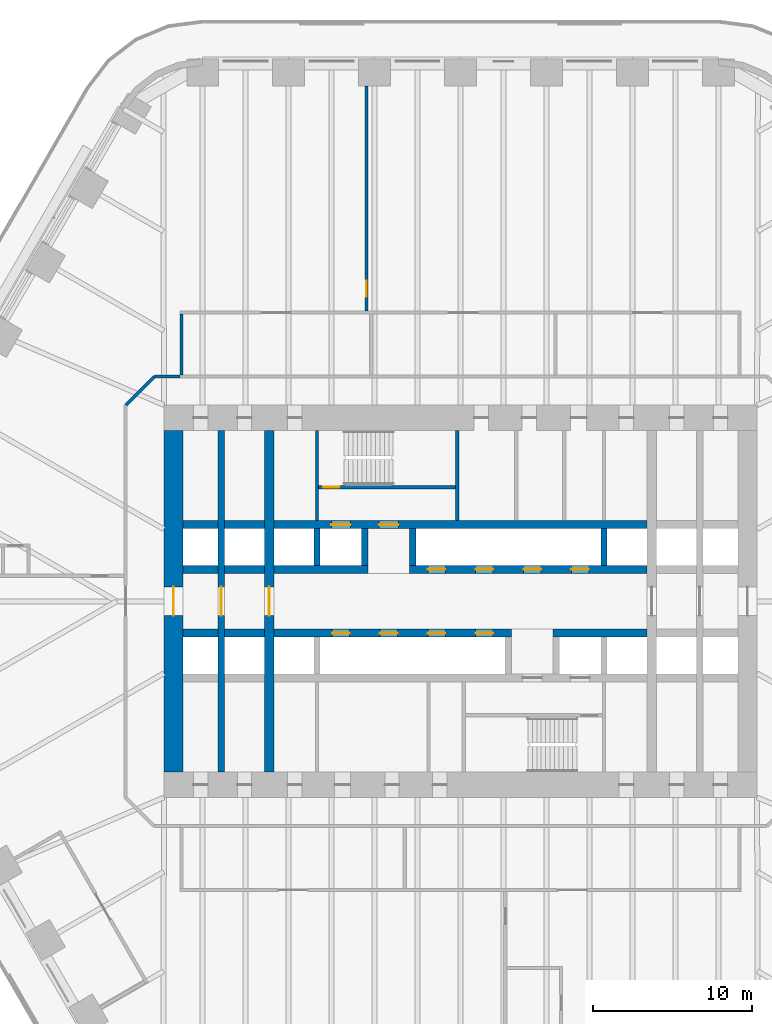
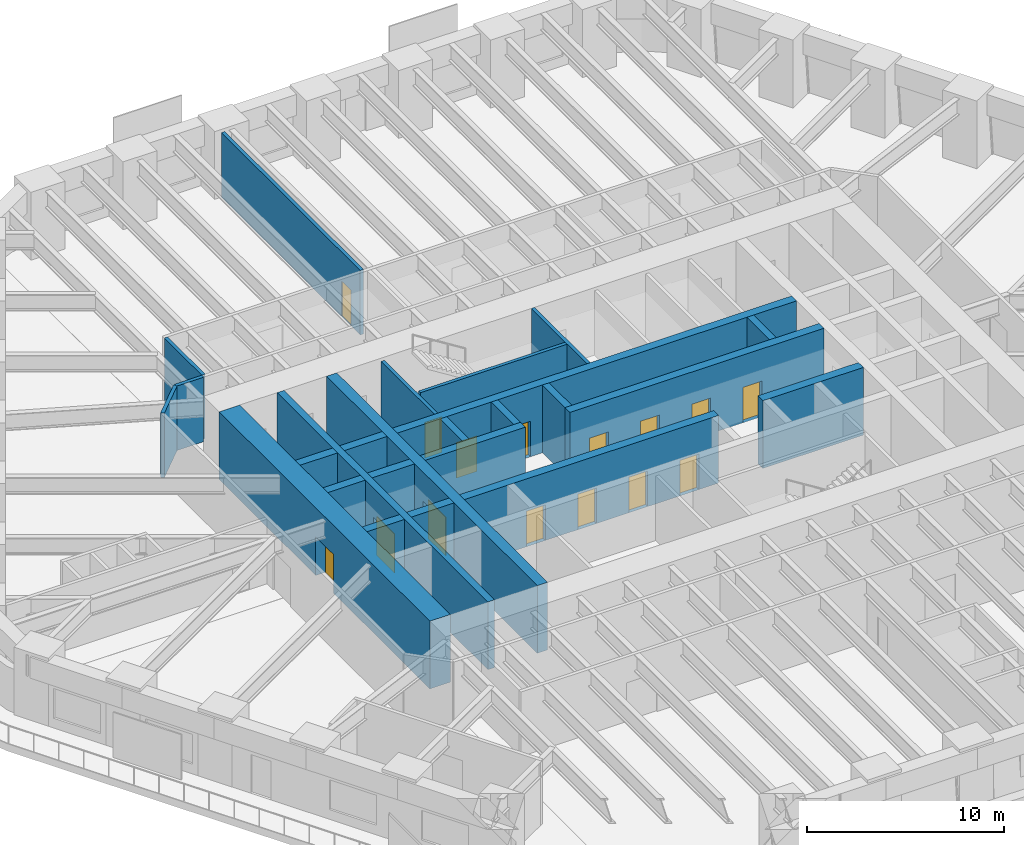
# One storey, part 18 of 23: 25 walls, 15 doors, 15 openings.
"""IFC4 building model written with IfcOpenShell, lengths in metres."""

import ifcopenshell
import ifcopenshell.guid

model = None  # the IFC model being written
_history = None  # IfcOwnerHistory: only IFC2X3 demands one
_inside = {}  # id of a spatial element -> (the spatial element, [elements in it])
_under = {}  # id of a project, library or spatial element -> (it, [spatial elements below it])
_declared = {}  # id of a project -> (the project, [libraries it declares])
_typed = {}  # id of a type object -> (the type object, [elements of that type])
_made_of = {}  # id of a material, layer set ... -> (it, [elements and type objects made of it])


def new_model(schema):
    """Start an empty IFC model of exactly this schema.

    Asked for "IFC4X3", IfcOpenShell would pick the latest addendum, in which some entities
    have other attributes; the version numbers below select the first issue.
    IFC2X3 requires an IfcOwnerHistory on every rooted entity: one is made here for all.
    """
    global model, _history
    if schema == "IFC4X3":
        model = ifcopenshell.file(schema_version=(4, 3, 0, 0))
    else:
        model = ifcopenshell.file(schema=schema)
    _inside.clear()
    _under.clear()
    _declared.clear()
    _typed.clear()
    _made_of.clear()
    _history = None
    if model.schema == "IFC2X3":
        org = make("IfcOrganization", Name="unknown")
        user = make(
            "IfcPersonAndOrganization",
            ThePerson=make("IfcPerson", FamilyName="unknown"),
            TheOrganization=org,
        )
        app = make(
            "IfcApplication",
            ApplicationDeveloper=org,
            Version="unknown",
            ApplicationFullName="unknown",
            ApplicationIdentifier="unknown",
        )
        _history = make(
            "IfcOwnerHistory",
            OwningUser=user,
            OwningApplication=app,
            ChangeAction="ADDED",
            CreationDate=0,
        )
    return model


def make(cls, **values):
    """One entity of the class cls with the attributes given. An attribute that is None is left unset."""
    return model.create_entity(
        cls, **{name: value for name, value in values.items() if value is not None}
    )


def rooted(cls, **values):
    """An entity with a GlobalId (a new one), such as an element, a storey or a relation."""
    return make(cls, GlobalId=ifcopenshell.guid.new(), OwnerHistory=_history, **values)


def si_unit(unit_type, name, prefix=None):
    """IfcSIUnit, for example si_unit("LENGTHUNIT", "METRE", prefix="MILLI")."""
    return make("IfcSIUnit", UnitType=unit_type, Prefix=prefix, Name=name)


def assignment(units):
    """IfcUnitAssignment: the units of a project."""
    return None if units is None else make("IfcUnitAssignment", Units=units)


def point(xyz):
    """IfcCartesianPoint."""
    return None if xyz is None else make("IfcCartesianPoint", Coordinates=xyz)


def direction(xyz):
    """IfcDirection."""
    return None if xyz is None else make("IfcDirection", DirectionRatios=xyz)


def frame(location, z_axis=None, x_axis=None):
    """IfcAxis2Placement3D, a coordinate frame: its origin and axes. An axis left out is left unset."""
    return make(
        "IfcAxis2Placement3D",
        Location=point(location),
        Axis=direction(z_axis),
        RefDirection=direction(x_axis),
    )


def frame_2d(location, x_axis=None):
    """IfcAxis2Placement2D, a coordinate frame in the plane: its origin and x axis."""
    return make(
        "IfcAxis2Placement2D", Location=point(location), RefDirection=direction(x_axis)
    )


def origin():
    """The frame at (0, 0, 0) with its axes left unset."""
    return frame((0.0, 0.0, 0.0))


def place(relative_to, where):
    """IfcLocalPlacement: puts the frame where relative to a parent placement (None: the world)."""
    return make(
        "IfcLocalPlacement", PlacementRelTo=relative_to, RelativePlacement=where
    )


def context(
    kind, dimensions, precision=None, world=None, true_north=None, identifier=None
):
    """IfcGeometricRepresentationContext, for example the 3D "Model" context."""
    return make(
        "IfcGeometricRepresentationContext",
        ContextIdentifier=identifier,
        ContextType=kind,
        CoordinateSpaceDimension=dimensions,
        Precision=precision,
        WorldCoordinateSystem=world,
        TrueNorth=true_north,
    )


def subcontext(parent, identifier, kind, view, scale=None):
    """IfcGeometricRepresentationSubContext, for example "Body" below "Model"."""
    return make(
        "IfcGeometricRepresentationSubContext",
        ContextIdentifier=identifier,
        ContextType=kind,
        ParentContext=parent,
        TargetScale=scale,
        TargetView=view,
    )


def project(units=None, contexts=None):
    """IfcProject with its units and contexts."""
    return rooted(
        "IfcProject",
        Name="project",
        RepresentationContexts=contexts,
        UnitsInContext=assignment(units),
    )


def spatial(cls, under=None, at=None, **own):
    """A site, building, storey or space (cls), placed at a placement, below another one or the project."""
    s = rooted(cls, ObjectPlacement=at, **own)
    if under is not None:
        _under.setdefault(under.id(), (under, []))[1].append(s)
    return s


def profile(cls, at=None, kind="AREA", **sizes):
    """A parametric profile (cls). Its sizes go by their IFC names, for example OverallWidth=200.0."""
    return make(cls, ProfileType=kind, Position=at, **sizes)


def rectangle(**sizes):
    """IfcRectangleProfileDef."""
    return profile("IfcRectangleProfileDef", **sizes)


def extrude(swept, where, along, depth):
    """IfcExtrudedAreaSolid: the profile swept, set in the frame where, extruded along a direction by depth."""
    return make(
        "IfcExtrudedAreaSolid",
        SweptArea=swept,
        Position=where,
        ExtrudedDirection=direction(along),
        Depth=depth,
    )


def shape(context_of_items, identifier, shape_type, items):
    """IfcShapeRepresentation: the items that make up one representation, for example the "Body"."""
    return make(
        "IfcShapeRepresentation",
        ContextOfItems=context_of_items,
        RepresentationIdentifier=identifier,
        RepresentationType=shape_type,
        Items=items,
    )


def material(Name=None, Category=None):
    """IfcMaterial."""
    return make("IfcMaterial", Name=Name, Category=Category)


def layer(
    of_material, thickness, ventilated=None, Name=None, Category=None, Priority=None
):
    """IfcMaterialLayer: one layer of a wall or slab, of a material (None: an air gap)."""
    return make(
        "IfcMaterialLayer",
        Material=of_material,
        LayerThickness=thickness,
        IsVentilated=ventilated,
        Name=Name,
        Category=Category,
        Priority=Priority,
    )


def layer_set(layers, Name=None):
    """IfcMaterialLayerSet."""
    return make("IfcMaterialLayerSet", MaterialLayers=layers, LayerSetName=Name)


def made_of(thing, what):
    """Note that an element or type object is made of a material, layer set ...; save() writes the relation."""
    if what is not None:
        _made_of.setdefault(what.id(), (what, []))[1].append(thing)
    return thing


def type_object(cls, material=None, **own):
    """A type object (cls), such as IfcWallType, which elements share."""
    return made_of(rooted(cls, **own), material)


def element(
    cls,
    number,
    at=None,
    inside=None,
    cuts=None,
    type_object=None,
    material=None,
    context=None,
    identifier="Body",
    shape_type=None,
    held_by="IfcProductDefinitionShape",
    body=None,
    shapes=None,
    **own,
):
    """One element of the class cls, such as IfcWall. Its Tag is "e" and its number.

    at: its placement. inside: the storey or other place that contains it. cuts: it is an
    opening in that element (IfcRelVoidsElement). A single representation is given by context,
    identifier, shape_type and body (its items); several are given by shapes. held_by: the class
    of the entity that holds the representations. save() writes the other relations.
    """
    e = rooted(cls, Tag="e%d" % number, ObjectPlacement=at, **own)
    if body is not None:
        shapes = [shape(context, identifier, shape_type, body)]
    if shapes is not None:
        e.Representation = make(held_by, Representations=shapes)
    if inside is not None:
        _inside.setdefault(inside.id(), (inside, []))[1].append(e)
    if cuts is not None:
        rooted(
            "IfcRelVoidsElement", RelatingBuildingElement=cuts, RelatedOpeningElement=e
        )
    if type_object is not None:
        _typed.setdefault(type_object.id(), (type_object, []))[1].append(e)
    return made_of(e, material)


def fill(opening, filler):
    """IfcRelFillsElement: the door or window that sits in an opening."""
    return rooted(
        "IfcRelFillsElement",
        RelatingOpeningElement=opening,
        RelatedBuildingElement=filler,
    )


def aggregate(whole, parts):
    """IfcRelAggregates: a whole, such as a stair, and the parts it consists of."""
    return rooted("IfcRelAggregates", RelatingObject=whole, RelatedObjects=parts)


def save(model, path):
    """Write the relations noted so far, then the file.

    IfcRelAggregates (storeys below a building ...), IfcRelContainedInSpatialStructure (elements
    in a storey), IfcRelDefinesByType, IfcRelAssociatesMaterial and IfcRelDeclares: one each for
    every whole, place, type object, material and project.
    """
    for whole, parts in _under.values():
        aggregate(whole, parts)
    for where, things in _inside.values():
        rooted(
            "IfcRelContainedInSpatialStructure",
            RelatedElements=things,
            RelatingStructure=where,
        )
    for kind, things in _typed.values():
        rooted("IfcRelDefinesByType", RelatedObjects=things, RelatingType=kind)
    for what, things in _made_of.values():
        rooted("IfcRelAssociatesMaterial", RelatedObjects=things, RelatingMaterial=what)
    for by, libraries in _declared.values():
        rooted("IfcRelDeclares", RelatingContext=by, RelatedDefinitions=libraries)
    model.write(path)


model = new_model("IFC4")

# Units and contexts
model_context = context("Model", 3, precision=1e-05, world=origin(), true_north=direction((0.0, 1.0)))
body_context = subcontext(model_context, "Body", "Model", "MODEL_VIEW")
ifc_project = project(units=[si_unit("LENGTHUNIT", "METRE"), si_unit("AREAUNIT", "SQUARE_METRE"), si_unit("VOLUMEUNIT", "CUBIC_METRE"), si_unit("PLANEANGLEUNIT", "RADIAN"), si_unit("MASSUNIT", "GRAM", prefix="KILO")], contexts=[model_context])

# Site, building, storey
site_placement = place(None, origin())
site = spatial("IfcSite", under=ifc_project, at=site_placement, CompositionType="ELEMENT")
building_placement = place(site_placement, origin())
building = spatial("IfcBuilding", under=site, at=building_placement, Name="Tarfa Lantern Tower", CompositionType="ELEMENT")
storey_placement = place(building_placement, frame((0.0, 0.0, 78.10009765625)))
storey = spatial("IfcBuildingStorey", under=building, at=storey_placement, Name="L17", CompositionType="ELEMENT", Elevation=78.10009765625)

# Walls
ifc_material_1 = material(Name="Concrete blockwork", Category="masonry")
ifc_layer_1 = layer(ifc_material_1, 0.199951171875)
ifc_layer_set_1 = layer_set([ifc_layer_1], Name="IW1 BLOCKWORK PARTITION 200 EI 120")
wall_type_1 = type_object("IfcWallType", Name="IW1 BLOCKWORK PARTITION 200 EI 120", PredefinedType="PARTITIONING", material=ifc_layer_set_1)
wall_1_placement = place(storey_placement, frame((-9.0, 5.050048828125, 0.0), z_axis=(0.0, 0.0, 1.0), x_axis=(0.0, 1.0, 0.0)))
element("IfcWall", 1, at=wall_1_placement, inside=storey, type_object=wall_type_1, Name="Core partition", PredefinedType="PARTITIONING", context=body_context, shape_type="SweptSolid", body=[
    extrude(rectangle(XDim=5.64990234375, YDim=0.199951171875, at=frame_2d((2.824951171875, 0.0))), origin(), (0.0, 0.0, 1.0), 4.0),
])
ifc_material_2 = material(Name="Gypsum board on steel studs", Category="steel")
ifc_layer_2 = layer(ifc_material_2, 0.2099609375)
ifc_layer_set_2 = layer_set([ifc_layer_2], Name="IW2 ACOUSTIC PARTITION 200")
wall_type_2 = type_object("IfcWallType", Name="IW2 ACOUSTIC PARTITION 200", PredefinedType="PARTITIONING", material=ifc_layer_set_2)
wall_2_placement = place(storey_placement, frame((-17.5, 14.199951171875, 0.0), z_axis=(0.0, 0.0, 1.0), x_axis=(0.0, 1.0, 0.0)))
element("IfcWall", 2, at=wall_2_placement, inside=storey, type_object=wall_type_2, Name="Partition", PredefinedType="PARTITIONING", context=body_context, shape_type="SweptSolid", body=[
    extrude(rectangle(XDim=3.800048828125, YDim=0.199951171875, at=frame_2d((1.89990234375, 0.0))), origin(), (0.0, 0.0, 1.0), 4.0),
])
wall_3_placement = place(storey_placement, frame((-19.199951171875, 14.10009765625, 0.0), z_axis=(0.0, 0.0, 1.0), x_axis=(1.0, 0.0, 0.0)))
element("IfcWall", 3, at=wall_3_placement, inside=storey, type_object=wall_type_2, Name="Partition", PredefinedType="PARTITIONING", context=body_context, shape_type="SweptSolid", body=[
    extrude(rectangle(XDim=1.599853515625, YDim=0.199951171875, at=frame_2d((0.7998046875, 0.0))), origin(), (0.0, 0.0, 1.0), 4.0),
])
wall_4_placement = place(storey_placement, frame((-21.0, 12.300048828125, 0.0), z_axis=(0.0, 0.0, 1.0), x_axis=(0.707106781187, 0.707106781187, 0.0)))
element("IfcWall", 4, at=wall_4_placement, inside=storey, type_object=wall_type_2, Name="Partition", PredefinedType="PARTITIONING", context=body_context, shape_type="SweptSolid", body=[
    extrude(rectangle(XDim=2.545654296875, YDim=0.199951171875, at=frame_2d((1.27294921875, 0.0))), origin(), (0.0, 0.0, 1.0), 4.0),
])

# Wall, opening, door
wall_5_placement = place(storey_placement, frame((-5.89990234375, 18.199951171875, 0.0), z_axis=(0.0, 0.0, 1.0), x_axis=(0.0, 1.0, 0.0)))
wall_5 = element("IfcWall", 5, at=wall_5_placement, inside=storey, type_object=wall_type_2, Name="Partition", PredefinedType="PARTITIONING", context=body_context, shape_type="SweptSolid", body=[
    extrude(rectangle(XDim=14.10009765625, YDim=0.199951171875, at=frame_2d((7.050048828125, 0.0))), origin(), (0.0, 0.0, 1.0), 4.0),
])
opening_1_placement = place(wall_5_placement, frame((0.909912109375, 0.0, 0.0)))
opening_1 = element("IfcOpeningElement", 6, at=opening_1_placement, cuts=wall_5, Name="Opening D44", PredefinedType="OPENING", context=body_context, shape_type="SweptSolid", body=[
    extrude(rectangle(XDim=1.0, YDim=2.199951171875, at=frame_2d((0.5, 1.10009765625))), frame((0.0, 0.10986328125, 0.0), z_axis=(0.0, -1.0, 0.0), x_axis=(1.0, 0.0, 0.0)), (0.0, 0.0, 1.0), 0.219970703125),
])
ifc_material_3 = material(Name="Timber door", Category="wood")
door_type_1 = type_object("IfcDoorType", Name="DR1 ROOM DOOR 1000x2200", OperationType="SINGLE_SWING_LEFT", PredefinedType="DOOR", material=ifc_material_3)
door_1_placement = place(opening_1_placement, origin())
door_1 = element("IfcDoor", 7, at=door_1_placement, inside=storey, type_object=door_type_1, Name="Zone door", OperationType="SINGLE_SWING_RIGHT", OverallHeight=2.199951171875, OverallWidth=1.0, PredefinedType="DOOR", context=body_context, shape_type="SweptSolid", body=[
    extrude(rectangle(XDim=1.0, YDim=2.199951171875, at=frame_2d((0.5, 1.10009765625))), frame((0.0, 0.02490234375, 0.0), z_axis=(0.0, -1.0, 0.0), x_axis=(1.0, 0.0, 0.0)), (0.0, 0.0, 1.0), 0.050048828125),
])
fill(opening_1, door_1)

ifc_material_4 = material(Name="Concrete C80/95", Category="concrete")
ifc_layer_3 = layer(ifc_material_4, 1.199951171875)
ifc_layer_set_3 = layer_set([ifc_layer_3], Name="SW1 CORE WALL 1200")
wall_type_3 = type_object("IfcWallType", Name="SW1 CORE WALL 1200", PredefinedType="SHEAR", material=ifc_layer_set_3)
wall_6_placement = place(storey_placement, frame((-18.0, 10.699951171875, 0.0), z_axis=(0.0, 0.0, 1.0), x_axis=(0.0, -1.0, 0.0)))
wall_6 = element("IfcWall", 8, at=wall_6_placement, inside=storey, type_object=wall_type_3, Name="Core wall W", PredefinedType="SHEAR", context=body_context, shape_type="SweptSolid", body=[
    extrude(rectangle(XDim=21.39990234375, YDim=1.199951171875, at=frame_2d((10.699951171875, 0.0))), origin(), (0.0, 0.0, 1.0), 4.199951171875),
])
opening_2_placement = place(wall_6_placement, frame((9.800048828125, 0.0, 0.0)))
opening_2 = element("IfcOpeningElement", 9, at=opening_2_placement, cuts=wall_6, Name="Opening D16", PredefinedType="OPENING", context=body_context, shape_type="SweptSolid", body=[
    extrude(rectangle(XDim=1.800048828125, YDim=2.39990234375, at=frame_2d((0.89990234375, 1.199951171875))), frame((0.0, 0.60986328125, 0.0), z_axis=(0.0, -1.0, 0.0), x_axis=(1.0, 0.0, 0.0)), (0.0, 0.0, 1.0), 1.219970703125),
])
ifc_material_5 = material(Name="Steel fire door", Category="steel")
door_type_2 = type_object("IfcDoorType", Name="DL1 LOBBY DOOR 1800x2400", OperationType="DOUBLE_DOOR_SINGLE_SWING", PredefinedType="DOOR", material=ifc_material_5)
door_2_placement = place(opening_2_placement, frame((1.800048828125, 0.0, 0.0), z_axis=(0.0, 0.0, 1.0), x_axis=(-1.0, 0.0, 0.0)))
door_2 = element("IfcDoor", 10, at=door_2_placement, inside=storey, type_object=door_type_2, Name="Lift lobby door", OperationType="DOUBLE_DOOR_SINGLE_SWING", OverallHeight=2.39990234375, OverallWidth=1.800048828125, PredefinedType="DOOR", context=body_context, shape_type="SweptSolid", body=[
    extrude(rectangle(XDim=1.800048828125, YDim=2.39990234375, at=frame_2d((0.89990234375, 1.199951171875))), frame((0.0, 0.02490234375, 0.0), z_axis=(0.0, -1.0, 0.0), x_axis=(1.0, 0.0, 0.0)), (0.0, 0.0, 1.0), 0.050048828125),
])
fill(opening_2, door_2)

# Wall
ifc_layer_4 = layer(ifc_material_4, 0.199951171875)
ifc_layer_set_4 = layer_set([ifc_layer_4], Name="SW12 CORE WALL 200")
wall_type_4 = type_object("IfcWallType", Name="SW12 CORE WALL 200", PredefinedType="SHEAR", material=ifc_layer_set_4)
wall_7_placement = place(storey_placement, frame((-0.199951171875, 5.050048828125, 0.0), z_axis=(0.0, 0.0, 1.0), x_axis=(0.0, 1.0, 0.0)))
element("IfcWall", 11, at=wall_7_placement, inside=storey, type_object=wall_type_4, Name="Core wall stair shaft N", PredefinedType="SHEAR", context=body_context, shape_type="SweptSolid", body=[
    extrude(rectangle(XDim=5.64990234375, YDim=0.199951171875, at=frame_2d((2.824951171875, 0.0))), origin(), (0.0, 0.0, 1.0), 4.199951171875),
])

# Wall, opening, door
wall_8_placement = place(storey_placement, frame((-8.89990234375, 7.14990234375, 0.0), z_axis=(0.0, 0.0, 1.0), x_axis=(1.0, 0.0, 0.0)))
wall_8 = element("IfcWall", 12, at=wall_8_placement, inside=storey, type_object=wall_type_4, Name="Core wall stair partition N", PredefinedType="SHEAR", context=body_context, shape_type="SweptSolid", body=[
    extrude(rectangle(XDim=8.599853515625, YDim=0.199951171875, at=frame_2d((4.2998046875, 0.0))), origin(), (0.0, 0.0, 1.0), 4.199951171875),
])
opening_3_placement = place(wall_8_placement, frame((0.300048828125, 0.0, 0.0)))
opening_3 = element("IfcOpeningElement", 13, at=opening_3_placement, cuts=wall_8, Name="Opening D23", PredefinedType="OPENING", context=body_context, shape_type="SweptSolid", body=[
    extrude(rectangle(XDim=1.0, YDim=2.199951171875, at=frame_2d((0.5, 1.10009765625))), frame((0.0, 0.10986328125, 0.0), z_axis=(0.0, -1.0, 0.0), x_axis=(1.0, 0.0, 0.0)), (0.0, 0.0, 1.0), 0.219970703125),
])
door_type_3 = type_object("IfcDoorType", Name="DF2 STAIR DOOR 1000x2200", OperationType="SINGLE_SWING_LEFT", PredefinedType="DOOR", material=ifc_material_5)
door_3_placement = place(opening_3_placement, origin())
door_3 = element("IfcDoor", 14, at=door_3_placement, inside=storey, type_object=door_type_3, Name="Stair door", OperationType="SINGLE_SWING_RIGHT", OverallHeight=2.199951171875, OverallWidth=1.0, PredefinedType="DOOR", context=body_context, shape_type="SweptSolid", body=[
    extrude(rectangle(XDim=1.0, YDim=2.199951171875, at=frame_2d((0.5, 1.10009765625))), frame((0.0, 0.02490234375, 0.0), z_axis=(0.0, -1.0, 0.0), x_axis=(1.0, 0.0, 0.0)), (0.0, 0.0, 1.0), 0.050048828125),
])
fill(opening_3, door_3)

# Walls
ifc_layer_5 = layer(ifc_material_4, 0.5)
ifc_layer_set_5 = layer_set([ifc_layer_5], Name="SW5 CORE WALL 500")
wall_type_5 = type_object("IfcWallType", Name="SW5 CORE WALL 500", PredefinedType="SHEAR", material=ifc_layer_set_5)
wall_9_placement = place(storey_placement, frame((-17.39990234375, 2.0, 0.0), z_axis=(0.0, 0.0, 1.0), x_axis=(1.0, 0.0, 0.0)))
element("IfcWall", 15, at=wall_9_placement, inside=storey, type_object=wall_type_5, Name="Core wall lobby west N", PredefinedType="SHEAR", context=body_context, shape_type="SweptSolid", body=[
    extrude(rectangle(XDim=2.199951171875, YDim=0.5, at=frame_2d((1.10009765625, 0.0))), origin(), (0.0, 0.0, 1.0), 4.199951171875),
])
wall_10_placement = place(storey_placement, frame((-14.800048828125, 2.0, 0.0), z_axis=(0.0, 0.0, 1.0), x_axis=(1.0, 0.0, 0.0)))
element("IfcWall", 16, at=wall_10_placement, inside=storey, type_object=wall_type_5, Name="Core wall lobby west N", PredefinedType="SHEAR", context=body_context, shape_type="SweptSolid", body=[
    extrude(rectangle(XDim=2.5, YDim=0.5, at=frame_2d((1.25, 0.0))), origin(), (0.0, 0.0, 1.0), 4.199951171875),
])
wall_11_placement = place(storey_placement, frame((-11.699951171875, 2.0, 0.0), z_axis=(0.0, 0.0, 1.0), x_axis=(1.0, 0.0, 0.0)))
element("IfcWall", 17, at=wall_11_placement, inside=storey, type_object=wall_type_5, Name="Core wall lobby west N", PredefinedType="SHEAR", context=body_context, shape_type="SweptSolid", body=[
    extrude(rectangle(XDim=5.89990234375, YDim=0.5, at=frame_2d((2.949951171875, 0.0))), origin(), (0.0, 0.0, 1.0), 4.199951171875),
])

# Wall, openings, doors
wall_12_placement = place(storey_placement, frame((-3.199951171875, 2.0, 0.0), z_axis=(0.0, 0.0, 1.0), x_axis=(1.0, 0.0, 0.0)))
wall_12 = element("IfcWall", 18, at=wall_12_placement, inside=storey, type_object=wall_type_5, Name="Core wall lobby east N", PredefinedType="SHEAR", context=body_context, shape_type="SweptSolid", body=[
    extrude(rectangle(XDim=14.89990234375, YDim=0.5, at=frame_2d((7.449951171875, 0.0))), origin(), (0.0, 0.0, 1.0), 4.199951171875),
])
opening_4_placement = place(wall_12_placement, frame((1.14990234375, 0.0, 0.0)))
opening_4 = element("IfcOpeningElement", 19, at=opening_4_placement, cuts=wall_12, Name="Opening LD03", PredefinedType="OPENING", context=body_context, shape_type="SweptSolid", body=[
    extrude(rectangle(XDim=1.10009765625, YDim=2.199951171875, at=frame_2d((0.550048828125, 1.10009765625))), frame((0.0, 0.260009765625, 0.0), z_axis=(0.0, -1.0, 0.0), x_axis=(1.0, 0.0, 0.0)), (0.0, 0.0, 1.0), 0.52001953125),
])
opening_5_placement = place(wall_12_placement, frame((4.14990234375, 0.0, 0.0)))
opening_5 = element("IfcOpeningElement", 20, at=opening_5_placement, cuts=wall_12, Name="Opening LD04", PredefinedType="OPENING", context=body_context, shape_type="SweptSolid", body=[
    extrude(rectangle(XDim=1.10009765625, YDim=2.199951171875, at=frame_2d((0.550048828125, 1.10009765625))), frame((0.0, 0.260009765625, 0.0), z_axis=(0.0, -1.0, 0.0), x_axis=(1.0, 0.0, 0.0)), (0.0, 0.0, 1.0), 0.52001953125),
])
opening_6_placement = place(wall_12_placement, frame((7.14990234375, 0.0, 0.0)))
opening_6 = element("IfcOpeningElement", 21, at=opening_6_placement, cuts=wall_12, Name="Opening LD05", PredefinedType="OPENING", context=body_context, shape_type="SweptSolid", body=[
    extrude(rectangle(XDim=1.10009765625, YDim=2.199951171875, at=frame_2d((0.550048828125, 1.10009765625))), frame((0.0, 0.260009765625, 0.0), z_axis=(0.0, -1.0, 0.0), x_axis=(1.0, 0.0, 0.0)), (0.0, 0.0, 1.0), 0.52001953125),
])
opening_7_placement = place(wall_12_placement, frame((10.14990234375, 0.0, 0.0)))
opening_7 = element("IfcOpeningElement", 22, at=opening_7_placement, cuts=wall_12, Name="Opening LD06", PredefinedType="OPENING", context=body_context, shape_type="SweptSolid", body=[
    extrude(rectangle(XDim=1.10009765625, YDim=2.199951171875, at=frame_2d((0.550048828125, 1.10009765625))), frame((0.0, 0.260009765625, 0.0), z_axis=(0.0, -1.0, 0.0), x_axis=(1.0, 0.0, 0.0)), (0.0, 0.0, 1.0), 0.52001953125),
])
ifc_material_6 = material(Name="Stainless steel lift door", Category="steel")
door_type_4 = type_object("IfcDoorType", Name="LD2 LIFT LANDING DOOR 1100x2200", OperationType="SLIDING_TO_LEFT", PredefinedType="DOOR", material=ifc_material_6)
door_4_placement = place(opening_4_placement, frame((1.10009765625, 0.0, 0.0), z_axis=(0.0, 0.0, 1.0), x_axis=(-1.0, 0.0, 0.0)))
door_4 = element("IfcDoor", 23, at=door_4_placement, inside=storey, type_object=door_type_4, Name="Landing door PA1", OperationType="SLIDING_TO_LEFT", OverallHeight=2.199951171875, OverallWidth=1.10009765625, PredefinedType="DOOR", context=body_context, shape_type="SweptSolid", body=[
    extrude(rectangle(XDim=1.10009765625, YDim=2.199951171875, at=frame_2d((0.550048828125, 1.10009765625))), frame((0.0, 0.02490234375, 0.0), z_axis=(0.0, -1.0, 0.0), x_axis=(1.0, 0.0, 0.0)), (0.0, 0.0, 1.0), 0.050048828125),
])
fill(opening_4, door_4)
door_5_placement = place(opening_5_placement, frame((1.10009765625, 0.0, 0.0), z_axis=(0.0, 0.0, 1.0), x_axis=(-1.0, 0.0, 0.0)))
door_5 = element("IfcDoor", 24, at=door_5_placement, inside=storey, type_object=door_type_4, Name="Landing door PA2", OperationType="SLIDING_TO_LEFT", OverallHeight=2.199951171875, OverallWidth=1.10009765625, PredefinedType="DOOR", context=body_context, shape_type="SweptSolid", body=[
    extrude(rectangle(XDim=1.10009765625, YDim=2.199951171875, at=frame_2d((0.550048828125, 1.10009765625))), frame((0.0, 0.02490234375, 0.0), z_axis=(0.0, -1.0, 0.0), x_axis=(1.0, 0.0, 0.0)), (0.0, 0.0, 1.0), 0.050048828125),
])
fill(opening_5, door_5)
door_6_placement = place(opening_6_placement, frame((1.10009765625, 0.0, 0.0), z_axis=(0.0, 0.0, 1.0), x_axis=(-1.0, 0.0, 0.0)))
door_6 = element("IfcDoor", 25, at=door_6_placement, inside=storey, type_object=door_type_4, Name="Landing door PA3", OperationType="SLIDING_TO_LEFT", OverallHeight=2.199951171875, OverallWidth=1.10009765625, PredefinedType="DOOR", context=body_context, shape_type="SweptSolid", body=[
    extrude(rectangle(XDim=1.10009765625, YDim=2.199951171875, at=frame_2d((0.550048828125, 1.10009765625))), frame((0.0, 0.02490234375, 0.0), z_axis=(0.0, -1.0, 0.0), x_axis=(1.0, 0.0, 0.0)), (0.0, 0.0, 1.0), 0.050048828125),
])
fill(opening_6, door_6)
door_7_placement = place(opening_7_placement, frame((1.10009765625, 0.0, 0.0), z_axis=(0.0, 0.0, 1.0), x_axis=(-1.0, 0.0, 0.0)))
door_7 = element("IfcDoor", 26, at=door_7_placement, inside=storey, type_object=door_type_4, Name="Landing door PA4", OperationType="SLIDING_TO_LEFT", OverallHeight=2.199951171875, OverallWidth=1.10009765625, PredefinedType="DOOR", context=body_context, shape_type="SweptSolid", body=[
    extrude(rectangle(XDim=1.10009765625, YDim=2.199951171875, at=frame_2d((0.550048828125, 1.10009765625))), frame((0.0, 0.02490234375, 0.0), z_axis=(0.0, -1.0, 0.0), x_axis=(1.0, 0.0, 0.0)), (0.0, 0.0, 1.0), 0.050048828125),
])
fill(opening_7, door_7)

# Walls
wall_13_placement = place(storey_placement, frame((-17.39990234375, 4.800048828125, 0.0), z_axis=(0.0, 0.0, 1.0), x_axis=(1.0, 0.0, 0.0)))
element("IfcWall", 27, at=wall_13_placement, inside=storey, type_object=wall_type_5, Name="Core wall rear N", PredefinedType="SHEAR", context=body_context, shape_type="SweptSolid", body=[
    extrude(rectangle(XDim=2.199951171875, YDim=0.5, at=frame_2d((1.10009765625, 0.0))), origin(), (0.0, 0.0, 1.0), 4.199951171875),
])
wall_14_placement = place(storey_placement, frame((-14.800048828125, 4.800048828125, 0.0), z_axis=(0.0, 0.0, 1.0), x_axis=(1.0, 0.0, 0.0)))
element("IfcWall", 28, at=wall_14_placement, inside=storey, type_object=wall_type_5, Name="Core wall rear N", PredefinedType="SHEAR", context=body_context, shape_type="SweptSolid", body=[
    extrude(rectangle(XDim=2.5, YDim=0.5, at=frame_2d((1.25, 0.0))), origin(), (0.0, 0.0, 1.0), 4.199951171875),
])

# Wall, openings, doors
wall_15_placement = place(storey_placement, frame((-11.699951171875, 4.800048828125, 0.0), z_axis=(0.0, 0.0, 1.0), x_axis=(1.0, 0.0, 0.0)))
wall_15 = element("IfcWall", 29, at=wall_15_placement, inside=storey, type_object=wall_type_5, Name="Core wall rear N", PredefinedType="SHEAR", context=body_context, shape_type="SweptSolid", body=[
    extrude(rectangle(XDim=23.39990234375, YDim=0.5, at=frame_2d((11.699951171875, 0.0))), origin(), (0.0, 0.0, 1.0), 4.199951171875),
])
opening_8_placement = place(wall_15_placement, frame((6.60009765625, 0.0, 0.0)))
opening_8 = element("IfcOpeningElement", 30, at=opening_8_placement, cuts=wall_15, Name="Opening D13", PredefinedType="OPENING", context=body_context, shape_type="SweptSolid", body=[
    extrude(rectangle(XDim=1.199951171875, YDim=2.199951171875, at=frame_2d((0.60009765625, 1.10009765625))), frame((0.0, 0.260009765625, 0.0), z_axis=(0.0, -1.0, 0.0), x_axis=(1.0, 0.0, 0.0)), (0.0, 0.0, 1.0), 0.52001953125),
])
opening_9_placement = place(wall_15_placement, frame((3.60009765625, 0.0, 0.0)))
opening_9 = element("IfcOpeningElement", 31, at=opening_9_placement, cuts=wall_15, Name="Opening LD01", PredefinedType="OPENING", context=body_context, shape_type="SweptSolid", body=[
    extrude(rectangle(XDim=1.199951171875, YDim=2.199951171875, at=frame_2d((0.60009765625, 1.10009765625))), frame((0.0, 0.260009765625, 0.0), z_axis=(0.0, -1.0, 0.0), x_axis=(1.0, 0.0, 0.0)), (0.0, 0.0, 1.0), 0.52001953125),
])
door_type_5 = type_object("IfcDoorType", Name="DF1 FIREFIGHTING LOBBY DOOR 1200x2200", OperationType="SINGLE_SWING_LEFT", PredefinedType="DOOR", material=ifc_material_5)
door_8_placement = place(opening_8_placement, origin())
door_8 = element("IfcDoor", 32, at=door_8_placement, inside=storey, type_object=door_type_5, Name="Firefighting lobby door", OperationType="SINGLE_SWING_LEFT", OverallHeight=2.199951171875, OverallWidth=1.199951171875, PredefinedType="DOOR", context=body_context, shape_type="SweptSolid", body=[
    extrude(rectangle(XDim=1.199951171875, YDim=2.199951171875, at=frame_2d((0.60009765625, 1.10009765625))), frame((0.0, 0.02490234375, 0.0), z_axis=(0.0, -1.0, 0.0), x_axis=(1.0, 0.0, 0.0)), (0.0, 0.0, 1.0), 0.050048828125),
])
fill(opening_8, door_8)
door_type_6 = type_object("IfcDoorType", Name="LD1 LIFT LANDING DOOR 1200x2200", OperationType="SLIDING_TO_LEFT", PredefinedType="DOOR", material=ifc_material_6)
door_9_placement = place(opening_9_placement, origin())
door_9 = element("IfcDoor", 33, at=door_9_placement, inside=storey, type_object=door_type_6, Name="Landing door FL1", OperationType="SLIDING_TO_LEFT", OverallHeight=2.199951171875, OverallWidth=1.199951171875, PredefinedType="DOOR", context=body_context, shape_type="SweptSolid", body=[
    extrude(rectangle(XDim=1.199951171875, YDim=2.199951171875, at=frame_2d((0.60009765625, 1.10009765625))), frame((0.0, 0.02490234375, 0.0), z_axis=(0.0, -1.0, 0.0), x_axis=(1.0, 0.0, 0.0)), (0.0, 0.0, 1.0), 0.050048828125),
])
fill(opening_9, door_9)

# Wall
wall_16_placement = place(storey_placement, frame((11.699951171875, -2.0, 0.0), z_axis=(0.0, 0.0, 1.0), x_axis=(-1.0, 0.0, 0.0)))
element("IfcWall", 34, at=wall_16_placement, inside=storey, type_object=wall_type_5, Name="Core wall lobby west S", PredefinedType="SHEAR", context=body_context, shape_type="SweptSolid", body=[
    extrude(rectangle(XDim=5.89990234375, YDim=0.5, at=frame_2d((2.949951171875, 0.0))), origin(), (0.0, 0.0, 1.0), 4.199951171875),
])

# Wall, openings, doors
wall_17_placement = place(storey_placement, frame((3.199951171875, -2.0, 0.0), z_axis=(0.0, 0.0, 1.0), x_axis=(-1.0, 0.0, 0.0)))
wall_17 = element("IfcWall", 35, at=wall_17_placement, inside=storey, type_object=wall_type_5, Name="Core wall lobby east S", PredefinedType="SHEAR", context=body_context, shape_type="SweptSolid", body=[
    extrude(rectangle(XDim=14.89990234375, YDim=0.5, at=frame_2d((7.449951171875, 0.0))), origin(), (0.0, 0.0, 1.0), 4.199951171875),
])
opening_10_placement = place(wall_17_placement, frame((1.14990234375, 0.0, 0.0)))
opening_10 = element("IfcOpeningElement", 36, at=opening_10_placement, cuts=wall_17, Name="Opening LD07", PredefinedType="OPENING", context=body_context, shape_type="SweptSolid", body=[
    extrude(rectangle(XDim=1.10009765625, YDim=2.199951171875, at=frame_2d((0.550048828125, 1.10009765625))), frame((0.0, 0.260009765625, 0.0), z_axis=(0.0, -1.0, 0.0), x_axis=(1.0, 0.0, 0.0)), (0.0, 0.0, 1.0), 0.52001953125),
])
opening_11_placement = place(wall_17_placement, frame((4.14990234375, 0.0, 0.0)))
opening_11 = element("IfcOpeningElement", 37, at=opening_11_placement, cuts=wall_17, Name="Opening LD08", PredefinedType="OPENING", context=body_context, shape_type="SweptSolid", body=[
    extrude(rectangle(XDim=1.10009765625, YDim=2.199951171875, at=frame_2d((0.550048828125, 1.10009765625))), frame((0.0, 0.260009765625, 0.0), z_axis=(0.0, -1.0, 0.0), x_axis=(1.0, 0.0, 0.0)), (0.0, 0.0, 1.0), 0.52001953125),
])
opening_12_placement = place(wall_17_placement, frame((7.14990234375, 0.0, 0.0)))
opening_12 = element("IfcOpeningElement", 38, at=opening_12_placement, cuts=wall_17, Name="Opening LD09", PredefinedType="OPENING", context=body_context, shape_type="SweptSolid", body=[
    extrude(rectangle(XDim=1.10009765625, YDim=2.199951171875, at=frame_2d((0.550048828125, 1.10009765625))), frame((0.0, 0.260009765625, 0.0), z_axis=(0.0, -1.0, 0.0), x_axis=(1.0, 0.0, 0.0)), (0.0, 0.0, 1.0), 0.52001953125),
])
opening_13_placement = place(wall_17_placement, frame((10.14990234375, 0.0, 0.0)))
opening_13 = element("IfcOpeningElement", 39, at=opening_13_placement, cuts=wall_17, Name="Opening LD10", PredefinedType="OPENING", context=body_context, shape_type="SweptSolid", body=[
    extrude(rectangle(XDim=1.10009765625, YDim=2.199951171875, at=frame_2d((0.550048828125, 1.10009765625))), frame((0.0, 0.260009765625, 0.0), z_axis=(0.0, -1.0, 0.0), x_axis=(1.0, 0.0, 0.0)), (0.0, 0.0, 1.0), 0.52001953125),
])
door_10_placement = place(opening_10_placement, frame((1.10009765625, 0.0, 0.0), z_axis=(0.0, 0.0, 1.0), x_axis=(-1.0, 0.0, 0.0)))
door_10 = element("IfcDoor", 40, at=door_10_placement, inside=storey, type_object=door_type_4, Name="Landing door PA5", OperationType="SLIDING_TO_LEFT", OverallHeight=2.199951171875, OverallWidth=1.10009765625, PredefinedType="DOOR", context=body_context, shape_type="SweptSolid", body=[
    extrude(rectangle(XDim=1.10009765625, YDim=2.199951171875, at=frame_2d((0.550048828125, 1.10009765625))), frame((0.0, 0.02490234375, 0.0), z_axis=(0.0, -1.0, 0.0), x_axis=(1.0, 0.0, 0.0)), (0.0, 0.0, 1.0), 0.050048828125),
])
fill(opening_10, door_10)
door_11_placement = place(opening_11_placement, frame((1.10009765625, 0.0, 0.0), z_axis=(0.0, 0.0, 1.0), x_axis=(-1.0, 0.0, 0.0)))
door_11 = element("IfcDoor", 41, at=door_11_placement, inside=storey, type_object=door_type_4, Name="Landing door PA6", OperationType="SLIDING_TO_LEFT", OverallHeight=2.199951171875, OverallWidth=1.10009765625, PredefinedType="DOOR", context=body_context, shape_type="SweptSolid", body=[
    extrude(rectangle(XDim=1.10009765625, YDim=2.199951171875, at=frame_2d((0.550048828125, 1.10009765625))), frame((0.0, 0.02490234375, 0.0), z_axis=(0.0, -1.0, 0.0), x_axis=(1.0, 0.0, 0.0)), (0.0, 0.0, 1.0), 0.050048828125),
])
fill(opening_11, door_11)
door_12_placement = place(opening_12_placement, frame((1.10009765625, 0.0, 0.0), z_axis=(0.0, 0.0, 1.0), x_axis=(-1.0, 0.0, 0.0)))
door_12 = element("IfcDoor", 42, at=door_12_placement, inside=storey, type_object=door_type_4, Name="Landing door PA7", OperationType="SLIDING_TO_LEFT", OverallHeight=2.199951171875, OverallWidth=1.10009765625, PredefinedType="DOOR", context=body_context, shape_type="SweptSolid", body=[
    extrude(rectangle(XDim=1.10009765625, YDim=2.199951171875, at=frame_2d((0.550048828125, 1.10009765625))), frame((0.0, 0.02490234375, 0.0), z_axis=(0.0, -1.0, 0.0), x_axis=(1.0, 0.0, 0.0)), (0.0, 0.0, 1.0), 0.050048828125),
])
fill(opening_12, door_12)
door_13_placement = place(opening_13_placement, frame((1.10009765625, 0.0, 0.0), z_axis=(0.0, 0.0, 1.0), x_axis=(-1.0, 0.0, 0.0)))
door_13 = element("IfcDoor", 43, at=door_13_placement, inside=storey, type_object=door_type_4, Name="Landing door PA8", OperationType="SLIDING_TO_LEFT", OverallHeight=2.199951171875, OverallWidth=1.10009765625, PredefinedType="DOOR", context=body_context, shape_type="SweptSolid", body=[
    extrude(rectangle(XDim=1.10009765625, YDim=2.199951171875, at=frame_2d((0.550048828125, 1.10009765625))), frame((0.0, 0.02490234375, 0.0), z_axis=(0.0, -1.0, 0.0), x_axis=(1.0, 0.0, 0.0)), (0.0, 0.0, 1.0), 0.050048828125),
])
fill(opening_13, door_13)

# Walls
wall_18_placement = place(storey_placement, frame((-12.300048828125, -2.0, 0.0), z_axis=(0.0, 0.0, 1.0), x_axis=(-1.0, 0.0, 0.0)))
element("IfcWall", 44, at=wall_18_placement, inside=storey, type_object=wall_type_5, Name="Core wall lobby east S", PredefinedType="SHEAR", context=body_context, shape_type="SweptSolid", body=[
    extrude(rectangle(XDim=2.5, YDim=0.5, at=frame_2d((1.25, 0.0))), origin(), (0.0, 0.0, 1.0), 4.199951171875),
])
wall_19_placement = place(storey_placement, frame((-15.199951171875, -2.0, 0.0), z_axis=(0.0, 0.0, 1.0), x_axis=(-1.0, 0.0, 0.0)))
element("IfcWall", 45, at=wall_19_placement, inside=storey, type_object=wall_type_5, Name="Core wall lobby east S", PredefinedType="SHEAR", context=body_context, shape_type="SweptSolid", body=[
    extrude(rectangle(XDim=2.199951171875, YDim=0.5, at=frame_2d((1.10009765625, 0.0))), origin(), (0.0, 0.0, 1.0), 4.199951171875),
])

# Wall, opening, door
ifc_layer_6 = layer(ifc_material_4, 0.39990234375)
ifc_layer_set_6 = layer_set([ifc_layer_6], Name="SW6 CORE WALL 400")
wall_type_6 = type_object("IfcWallType", Name="SW6 CORE WALL 400", PredefinedType="SHEAR", material=ifc_layer_set_6)
wall_20_placement = place(storey_placement, frame((-15.0, -10.699951171875, 0.0), z_axis=(0.0, 0.0, 1.0), x_axis=(0.0, 1.0, 0.0)))
wall_20 = element("IfcWall", 46, at=wall_20_placement, inside=storey, type_object=wall_type_6, Name="Core wall cross 15 m west", PredefinedType="SHEAR", context=body_context, shape_type="SweptSolid", body=[
    extrude(rectangle(XDim=21.39990234375, YDim=0.39990234375, at=frame_2d((10.699951171875, 0.0))), origin(), (0.0, 0.0, 1.0), 4.199951171875),
])
opening_14_placement = place(wall_20_placement, frame((9.800048828125, 0.0, 0.0)))
opening_14 = element("IfcOpeningElement", 47, at=opening_14_placement, cuts=wall_20, Name="Opening D28", PredefinedType="OPENING", context=body_context, shape_type="SweptSolid", body=[
    extrude(rectangle(XDim=1.800048828125, YDim=2.39990234375, at=frame_2d((0.89990234375, 1.199951171875))), frame((0.0, 0.2099609375, 0.0), z_axis=(0.0, -1.0, 0.0), x_axis=(1.0, 0.0, 0.0)), (0.0, 0.0, 1.0), 0.419921875),
])
door_14_placement = place(opening_14_placement, origin())
door_14 = element("IfcDoor", 48, at=door_14_placement, inside=storey, type_object=door_type_2, Name="Lift lobby door", OperationType="DOUBLE_DOOR_SINGLE_SWING", OverallHeight=2.39990234375, OverallWidth=1.800048828125, PredefinedType="DOOR", context=body_context, shape_type="SweptSolid", body=[
    extrude(rectangle(XDim=1.800048828125, YDim=2.39990234375, at=frame_2d((0.89990234375, 1.199951171875))), frame((0.0, 0.02490234375, 0.0), z_axis=(0.0, -1.0, 0.0), x_axis=(1.0, 0.0, 0.0)), (0.0, 0.0, 1.0), 0.050048828125),
])
fill(opening_14, door_14)

# Walls
for number, where, z_axis, x_axis, name in (
    (49, (-9.0, 2.25, 0.0), (0.0, 0.0, 1.0), (0.0, 1.0, 0.0), "Core wall divider N"),
    (50, (-6.0, 2.25, 0.0), (0.0, 0.0, 1.0), (0.0, 1.0, 0.0), "Core wall divider N"),
    (51, (-3.0, 2.25, 0.0), (0.0, 0.0, 1.0), (0.0, 1.0, 0.0), "Core wall divider N"),
    (52, (9.0, 2.25, 0.0), (0.0, 0.0, 1.0), (0.0, 1.0, 0.0), "Core wall divider N"),
):
    element("IfcWall", number, at=place(storey_placement, frame(where, z_axis=z_axis, x_axis=x_axis)), inside=storey, type_object=wall_type_6, Name=name, PredefinedType="SHEAR", context=body_context, shape_type="SweptSolid", body=[
        extrude(rectangle(XDim=2.300048828125, YDim=0.39990234375, at=frame_2d((1.14990234375, 0.0))), origin(), (0.0, 0.0, 1.0), 4.199951171875),
    ])

# Wall, opening, door
ifc_layer_7 = layer(ifc_material_4, 0.60009765625)
ifc_layer_set_7 = layer_set([ifc_layer_7], Name="SW9 CORE WALL 600")
wall_type_7 = type_object("IfcWallType", Name="SW9 CORE WALL 600", PredefinedType="SHEAR", material=ifc_layer_set_7)
wall_21_placement = place(storey_placement, frame((-12.0, -10.699951171875, 0.0), z_axis=(0.0, 0.0, 1.0), x_axis=(0.0, 1.0, 0.0)))
wall_21 = element("IfcWall", 53, at=wall_21_placement, inside=storey, type_object=wall_type_7, Name="Core wall cross 12 m west", PredefinedType="SHEAR", context=body_context, shape_type="SweptSolid", body=[
    extrude(rectangle(XDim=21.39990234375, YDim=0.60009765625, at=frame_2d((10.699951171875, 0.0))), origin(), (0.0, 0.0, 1.0), 4.199951171875),
])
opening_15_placement = place(wall_21_placement, frame((9.800048828125, 0.0, 0.0)))
opening_15 = element("IfcOpeningElement", 54, at=opening_15_placement, cuts=wall_21, Name="Opening D27", PredefinedType="OPENING", context=body_context, shape_type="SweptSolid", body=[
    extrude(rectangle(XDim=1.800048828125, YDim=2.39990234375, at=frame_2d((0.89990234375, 1.199951171875))), frame((0.0, 0.31005859375, 0.0), z_axis=(0.0, -1.0, 0.0), x_axis=(1.0, 0.0, 0.0)), (0.0, 0.0, 1.0), 0.6201171875),
])
door_15_placement = place(opening_15_placement, origin())
door_15 = element("IfcDoor", 55, at=door_15_placement, inside=storey, type_object=door_type_2, Name="Lift lobby door", OperationType="DOUBLE_DOOR_SINGLE_SWING", OverallHeight=2.39990234375, OverallWidth=1.800048828125, PredefinedType="DOOR", context=body_context, shape_type="SweptSolid", body=[
    extrude(rectangle(XDim=1.800048828125, YDim=2.39990234375, at=frame_2d((0.89990234375, 1.199951171875))), frame((0.0, 0.02490234375, 0.0), z_axis=(0.0, -1.0, 0.0), x_axis=(1.0, 0.0, 0.0)), (0.0, 0.0, 1.0), 0.050048828125),
])
fill(opening_15, door_15)

save(model, "model.ifc")
